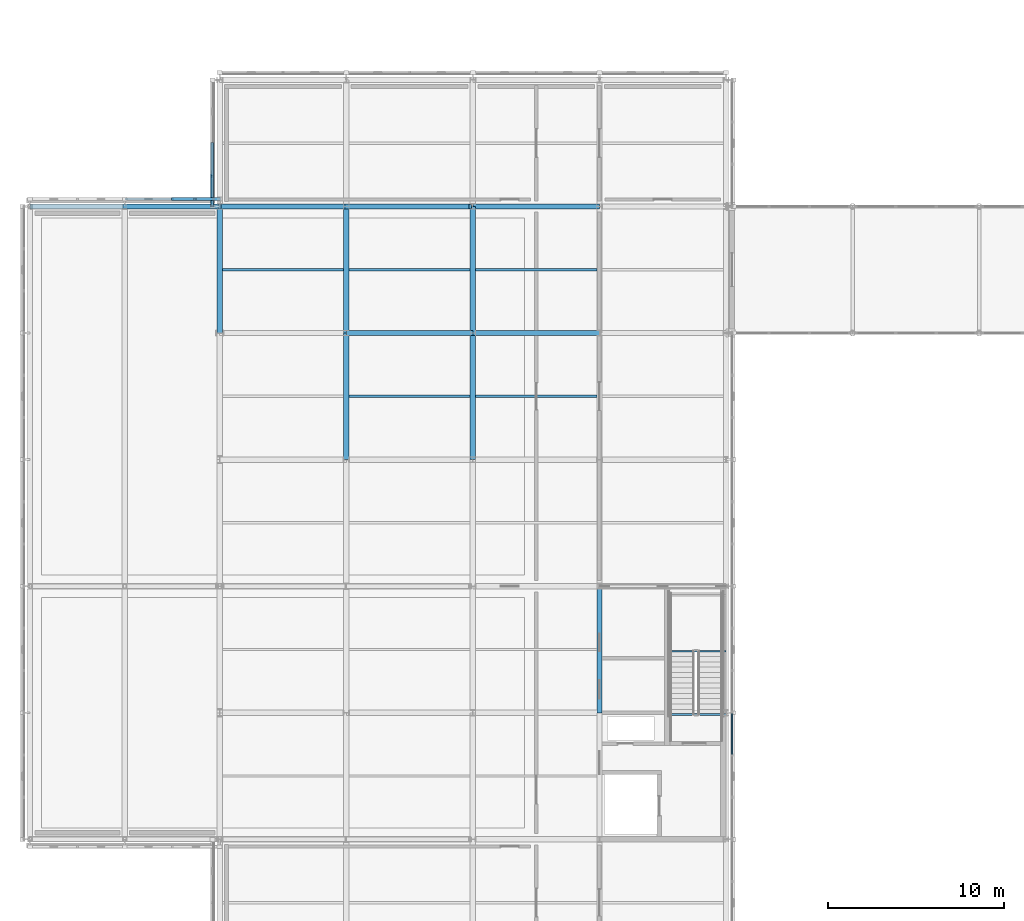
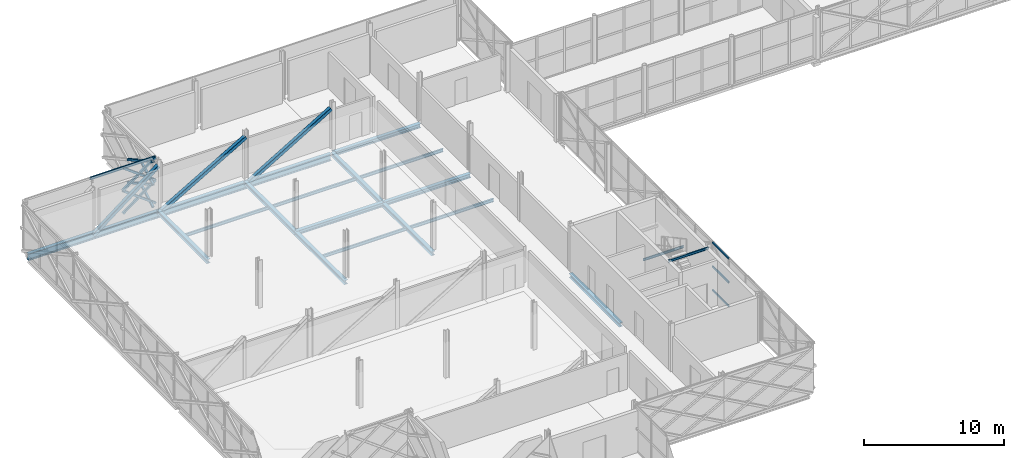
# One storey, part 43 of 126: 17 beams, 17 members, 1 element without a shape of its own.
"""IFC4 building model written with IfcOpenShell, lengths in metres."""

import ifcopenshell
import ifcopenshell.guid

model = None  # the IFC model being written
_history = None  # IfcOwnerHistory: only IFC2X3 demands one
_inside = {}  # id of a spatial element -> (the spatial element, [elements in it])
_under = {}  # id of a project, library or spatial element -> (it, [spatial elements below it])
_declared = {}  # id of a project -> (the project, [libraries it declares])
_typed = {}  # id of a type object -> (the type object, [elements of that type])
_made_of = {}  # id of a material, layer set ... -> (it, [elements and type objects made of it])


def new_model(schema):
    """Start an empty IFC model of exactly this schema.

    Asked for "IFC4X3", IfcOpenShell would pick the latest addendum, in which some entities
    have other attributes; the version numbers below select the first issue.
    IFC2X3 requires an IfcOwnerHistory on every rooted entity: one is made here for all.
    """
    global model, _history
    if schema == "IFC4X3":
        model = ifcopenshell.file(schema_version=(4, 3, 0, 0))
    else:
        model = ifcopenshell.file(schema=schema)
    _inside.clear()
    _under.clear()
    _declared.clear()
    _typed.clear()
    _made_of.clear()
    _history = None
    if model.schema == "IFC2X3":
        org = make("IfcOrganization", Name="unknown")
        user = make(
            "IfcPersonAndOrganization",
            ThePerson=make("IfcPerson", FamilyName="unknown"),
            TheOrganization=org,
        )
        app = make(
            "IfcApplication",
            ApplicationDeveloper=org,
            Version="unknown",
            ApplicationFullName="unknown",
            ApplicationIdentifier="unknown",
        )
        _history = make(
            "IfcOwnerHistory",
            OwningUser=user,
            OwningApplication=app,
            ChangeAction="ADDED",
            CreationDate=0,
        )
    return model


def make(cls, **values):
    """One entity of the class cls with the attributes given. An attribute that is None is left unset."""
    return model.create_entity(
        cls, **{name: value for name, value in values.items() if value is not None}
    )


def rooted(cls, **values):
    """An entity with a GlobalId (a new one), such as an element, a storey or a relation."""
    return make(cls, GlobalId=ifcopenshell.guid.new(), OwnerHistory=_history, **values)


def si_unit(unit_type, name, prefix=None):
    """IfcSIUnit, for example si_unit("LENGTHUNIT", "METRE", prefix="MILLI")."""
    return make("IfcSIUnit", UnitType=unit_type, Prefix=prefix, Name=name)


def assignment(units):
    """IfcUnitAssignment: the units of a project."""
    return None if units is None else make("IfcUnitAssignment", Units=units)


def point(xyz):
    """IfcCartesianPoint."""
    return None if xyz is None else make("IfcCartesianPoint", Coordinates=xyz)


def direction(xyz):
    """IfcDirection."""
    return None if xyz is None else make("IfcDirection", DirectionRatios=xyz)


def frame(location, z_axis=None, x_axis=None):
    """IfcAxis2Placement3D, a coordinate frame: its origin and axes. An axis left out is left unset."""
    return make(
        "IfcAxis2Placement3D",
        Location=point(location),
        Axis=direction(z_axis),
        RefDirection=direction(x_axis),
    )


def frame_2d(location, x_axis=None):
    """IfcAxis2Placement2D, a coordinate frame in the plane: its origin and x axis."""
    return make(
        "IfcAxis2Placement2D", Location=point(location), RefDirection=direction(x_axis)
    )


def origin():
    """The frame at (0, 0, 0) with its axes left unset."""
    return frame((0.0, 0.0, 0.0))


def origin_2d():
    """The frame at (0, 0) in the plane with its x axis left unset."""
    return frame_2d((0.0, 0.0))


def place(relative_to, where):
    """IfcLocalPlacement: puts the frame where relative to a parent placement (None: the world)."""
    return make(
        "IfcLocalPlacement", PlacementRelTo=relative_to, RelativePlacement=where
    )


def context(
    kind, dimensions, precision=None, world=None, true_north=None, identifier=None
):
    """IfcGeometricRepresentationContext, for example the 3D "Model" context."""
    return make(
        "IfcGeometricRepresentationContext",
        ContextIdentifier=identifier,
        ContextType=kind,
        CoordinateSpaceDimension=dimensions,
        Precision=precision,
        WorldCoordinateSystem=world,
        TrueNorth=true_north,
    )


def subcontext(parent, identifier, kind, view, scale=None):
    """IfcGeometricRepresentationSubContext, for example "Body" below "Model"."""
    return make(
        "IfcGeometricRepresentationSubContext",
        ContextIdentifier=identifier,
        ContextType=kind,
        ParentContext=parent,
        TargetScale=scale,
        TargetView=view,
    )


def project(units=None, contexts=None):
    """IfcProject with its units and contexts."""
    return rooted(
        "IfcProject",
        Name="project",
        RepresentationContexts=contexts,
        UnitsInContext=assignment(units),
    )


def spatial(cls, under=None, at=None, **own):
    """A site, building, storey or space (cls), placed at a placement, below another one or the project."""
    s = rooted(cls, ObjectPlacement=at, **own)
    if under is not None:
        _under.setdefault(under.id(), (under, []))[1].append(s)
    return s


def profile(cls, at=None, kind="AREA", **sizes):
    """A parametric profile (cls). Its sizes go by their IFC names, for example OverallWidth=200.0."""
    return make(cls, ProfileType=kind, Position=at, **sizes)


def rectangle(**sizes):
    """IfcRectangleProfileDef."""
    return profile("IfcRectangleProfileDef", **sizes)


def hollow_rectangle(**sizes):
    """IfcRectangleHollowProfileDef."""
    return profile("IfcRectangleHollowProfileDef", **sizes)


def i_section(**sizes):
    """IfcIShapeProfileDef."""
    return profile("IfcIShapeProfileDef", **sizes)


def extrude(swept, where, along, depth):
    """IfcExtrudedAreaSolid: the profile swept, set in the frame where, extruded along a direction by depth."""
    return make(
        "IfcExtrudedAreaSolid",
        SweptArea=swept,
        Position=where,
        ExtrudedDirection=direction(along),
        Depth=depth,
    )


def shape(context_of_items, identifier, shape_type, items):
    """IfcShapeRepresentation: the items that make up one representation, for example the "Body"."""
    return make(
        "IfcShapeRepresentation",
        ContextOfItems=context_of_items,
        RepresentationIdentifier=identifier,
        RepresentationType=shape_type,
        Items=items,
    )


def material(Name=None, Category=None):
    """IfcMaterial."""
    return make("IfcMaterial", Name=Name, Category=Category)


def material_profile(
    of_material, cross_section, Name=None, Category=None, Priority=None
):
    """IfcMaterialProfile: a cross section and its material."""
    return make(
        "IfcMaterialProfile",
        Name=Name,
        Material=of_material,
        Profile=cross_section,
        Priority=Priority,
        Category=Category,
    )


def profile_set(profiles, Name=None, composite=None):
    """IfcMaterialProfileSet."""
    return make(
        "IfcMaterialProfileSet",
        Name=Name,
        MaterialProfiles=profiles,
        CompositeProfile=composite,
    )


def made_of(thing, what):
    """Note that an element or type object is made of a material, layer set ...; save() writes the relation."""
    if what is not None:
        _made_of.setdefault(what.id(), (what, []))[1].append(thing)
    return thing


def type_object(cls, material=None, **own):
    """A type object (cls), such as IfcWallType, which elements share."""
    return made_of(rooted(cls, **own), material)


def element(
    cls,
    number,
    at=None,
    inside=None,
    cuts=None,
    type_object=None,
    material=None,
    context=None,
    identifier="Body",
    shape_type=None,
    held_by="IfcProductDefinitionShape",
    body=None,
    shapes=None,
    **own,
):
    """One element of the class cls, such as IfcWall. Its Tag is "e" and its number.

    at: its placement. inside: the storey or other place that contains it. cuts: it is an
    opening in that element (IfcRelVoidsElement). A single representation is given by context,
    identifier, shape_type and body (its items); several are given by shapes. held_by: the class
    of the entity that holds the representations. save() writes the other relations.
    """
    e = rooted(cls, Tag="e%d" % number, ObjectPlacement=at, **own)
    if body is not None:
        shapes = [shape(context, identifier, shape_type, body)]
    if shapes is not None:
        e.Representation = make(held_by, Representations=shapes)
    if inside is not None:
        _inside.setdefault(inside.id(), (inside, []))[1].append(e)
    if cuts is not None:
        rooted(
            "IfcRelVoidsElement", RelatingBuildingElement=cuts, RelatedOpeningElement=e
        )
    if type_object is not None:
        _typed.setdefault(type_object.id(), (type_object, []))[1].append(e)
    return made_of(e, material)


def aggregate(whole, parts):
    """IfcRelAggregates: a whole, such as a stair, and the parts it consists of."""
    return rooted("IfcRelAggregates", RelatingObject=whole, RelatedObjects=parts)


def save(model, path):
    """Write the relations noted so far, then the file.

    IfcRelAggregates (storeys below a building ...), IfcRelContainedInSpatialStructure (elements
    in a storey), IfcRelDefinesByType, IfcRelAssociatesMaterial and IfcRelDeclares: one each for
    every whole, place, type object, material and project.
    """
    for whole, parts in _under.values():
        aggregate(whole, parts)
    for where, things in _inside.values():
        rooted(
            "IfcRelContainedInSpatialStructure",
            RelatedElements=things,
            RelatingStructure=where,
        )
    for kind, things in _typed.values():
        rooted("IfcRelDefinesByType", RelatedObjects=things, RelatingType=kind)
    for what, things in _made_of.values():
        rooted("IfcRelAssociatesMaterial", RelatedObjects=things, RelatingMaterial=what)
    for by, libraries in _declared.values():
        rooted("IfcRelDeclares", RelatingContext=by, RelatedDefinitions=libraries)
    model.write(path)


model = new_model("IFC4")

# Units and contexts
model_context = context("Model", 3, precision=1e-05, world=origin(), true_north=direction((0.0, 1.0)))
body_context = subcontext(model_context, "Body", "Model", "MODEL_VIEW")
ifc_project = project(units=[si_unit("LENGTHUNIT", "METRE"), si_unit("AREAUNIT", "SQUARE_METRE"), si_unit("VOLUMEUNIT", "CUBIC_METRE"), si_unit("PLANEANGLEUNIT", "RADIAN"), si_unit("MASSUNIT", "GRAM", prefix="KILO")], contexts=[model_context])

# Site, building, storey
site_placement = place(None, origin())
site = spatial("IfcSite", under=ifc_project, at=site_placement, CompositionType="ELEMENT")
building_placement = place(site_placement, origin())
building = spatial("IfcBuilding", under=site, at=building_placement, Name="Zlatovets Crest Museum", CompositionType="ELEMENT")
storey_placement = place(building_placement, frame((0.0, 0.0, 8.699951171875)))
storey = spatial("IfcBuildingStorey", under=building, at=storey_placement, Name="L02", CompositionType="ELEMENT", Elevation=8.699951171875)

# Beams
ifc_material_1 = material(Name="Structural steel S355J2", Category="steel")
ifc_material_profile_1 = material_profile(ifc_material_1, i_section(OverallWidth=0.300048828125, OverallDepth=0.35009765625, WebThickness=0.010009765625, FlangeThickness=0.017578125, FilletRadius=0.027099609375, at=origin_2d()), Name="HEA 360")
ifc_profile_set_1 = profile_set([ifc_material_profile_1], Name="Structural steel S355J2")
beam_type_1 = type_object("IfcBeamType", Name="Beam_B-03", PredefinedType="BEAM", material=ifc_profile_set_1)
beam_1_placement = place(storey_placement, frame((14.39990234375, 86.39990234375, -0.39501953125), z_axis=(1.0, 0.0, 0.0), x_axis=(0.0, 1.0, 0.0)))
element("IfcBeam", 1, at=beam_1_placement, inside=storey, type_object=beam_type_1, Name="V4 L02 Primary Girder B-03", PredefinedType="BEAM", context=body_context, shape_type="SweptSolid", body=[
    extrude(i_section(OverallWidth=0.300048828125, OverallDepth=0.35009765625, WebThickness=0.010009765625, FlangeThickness=0.017578125, FilletRadius=0.027099609375, at=origin_2d()), origin(), (0.0, 0.0, 1.0), 7.2001953125),
])
for number, where, z_axis, x_axis, name in (
    (2, (21.60009765625, 86.39990234375, -0.39501953125), (1.0, 0.0, 0.0), (0.0, 1.0, 0.0), "V4 L02 Primary Girder B-03"),
    (3, (21.60009765625, 93.60009765625, -0.39501953125), (1.0, 0.0, 0.0), (0.0, 1.0, 0.0), "V4 L02 Primary Girder B-03"),
):
    element("IfcBeam", number, at=place(storey_placement, frame(where, z_axis=z_axis, x_axis=x_axis)), inside=storey, type_object=beam_type_1, Name=name, PredefinedType="BEAM", context=body_context, shape_type="SweptSolid", body=[
        extrude(i_section(OverallWidth=0.300048828125, OverallDepth=0.35009765625, WebThickness=0.010009765625, FlangeThickness=0.017578125, FilletRadius=0.027099609375, at=origin_2d()), origin(), (0.0, 0.0, 1.0), 7.199951171875),
    ])
beam_2_placement = place(storey_placement, frame((7.199951171875, 86.39990234375, -0.39501953125), z_axis=(0.0, 1.0, 0.0), x_axis=(-1.0, 0.0, 0.0)))
element("IfcBeam", 4, at=beam_2_placement, inside=storey, type_object=beam_type_1, Name="V4 L02 Grid Beam B-03", PredefinedType="BEAM", context=body_context, shape_type="SweptSolid", body=[
    extrude(i_section(OverallWidth=0.300048828125, OverallDepth=0.35009765625, WebThickness=0.010009765625, FlangeThickness=0.017578125, FilletRadius=0.027099609375, at=origin_2d()), origin(), (0.0, 0.0, 1.0), 7.2001953125),
])
beam_3_placement = place(storey_placement, frame((14.39990234375, 79.199951171875, -0.39501953125), z_axis=(0.0, 1.0, 0.0), x_axis=(-1.0, 0.0, 0.0)))
element("IfcBeam", 5, at=beam_3_placement, inside=storey, type_object=beam_type_1, Name="V4 L02 Grid Beam B-03", PredefinedType="BEAM", context=body_context, shape_type="SweptSolid", body=[
    extrude(i_section(OverallWidth=0.300048828125, OverallDepth=0.35009765625, WebThickness=0.010009765625, FlangeThickness=0.017578125, FilletRadius=0.027099609375, at=origin_2d()), origin(), (0.0, 0.0, 1.0), 7.199951171875),
])
beam_4_placement = place(storey_placement, frame((14.39990234375, 86.39990234375, -0.39501953125), z_axis=(0.0, 1.0, 0.0), x_axis=(-1.0, 0.0, 0.0)))
element("IfcBeam", 6, at=beam_4_placement, inside=storey, type_object=beam_type_1, Name="V4 L02 Grid Beam B-03", PredefinedType="BEAM", context=body_context, shape_type="SweptSolid", body=[
    extrude(i_section(OverallWidth=0.300048828125, OverallDepth=0.35009765625, WebThickness=0.010009765625, FlangeThickness=0.017578125, FilletRadius=0.027099609375, at=origin_2d()), origin(), (0.0, 0.0, 1.0), 7.2001953125),
])
beam_5_placement = place(storey_placement, frame((21.60009765625, 79.199951171875, -0.39501953125), z_axis=(0.0, 1.0, 0.0), x_axis=(-1.0, 0.0, 0.0)))
element("IfcBeam", 7, at=beam_5_placement, inside=storey, type_object=beam_type_1, Name="V4 L02 Grid Beam B-03", PredefinedType="BEAM", context=body_context, shape_type="SweptSolid", body=[
    extrude(i_section(OverallWidth=0.300048828125, OverallDepth=0.35009765625, WebThickness=0.010009765625, FlangeThickness=0.017578125, FilletRadius=0.027099609375, at=origin_2d()), origin(), (0.0, 0.0, 1.0), 7.199951171875),
])
beam_6_placement = place(storey_placement, frame((21.60009765625, 86.39990234375, -0.39501953125), z_axis=(0.0, 1.0, 0.0), x_axis=(-1.0, 0.0, 0.0)))
element("IfcBeam", 8, at=beam_6_placement, inside=storey, type_object=beam_type_1, Name="V4 L02 Grid Beam B-03", PredefinedType="BEAM", context=body_context, shape_type="SweptSolid", body=[
    extrude(i_section(OverallWidth=0.300048828125, OverallDepth=0.35009765625, WebThickness=0.010009765625, FlangeThickness=0.017578125, FilletRadius=0.027099609375, at=origin_2d()), origin(), (0.0, 0.0, 1.0), 7.2001953125),
])
beam_7_placement = place(storey_placement, frame((28.800048828125, 64.800048828125, -0.39501953125), z_axis=(0.0, 1.0, 0.0), x_axis=(-1.0, 0.0, 0.0)))
element("IfcBeam", 9, at=beam_7_placement, inside=storey, type_object=beam_type_1, Name="V4 L02 Grid Beam B-03", PredefinedType="BEAM", context=body_context, shape_type="SweptSolid", body=[
    extrude(i_section(OverallWidth=0.300048828125, OverallDepth=0.35009765625, WebThickness=0.010009765625, FlangeThickness=0.017578125, FilletRadius=0.027099609375, at=origin_2d()), origin(), (0.0, 0.0, 1.0), 7.199951171875),
])
ifc_material_profile_2 = material_profile(ifc_material_1, i_section(OverallWidth=0.300048828125, OverallDepth=0.590087890625, WebThickness=0.012939453125, FlangeThickness=0.02490234375, FilletRadius=0.027099609375, at=origin_2d()), Name="HEA 600")
ifc_profile_set_2 = profile_set([ifc_material_profile_2], Name="Structural steel S355J2")
beam_type_2 = type_object("IfcBeamType", Name="Beam_B-07", PredefinedType="BEAM", material=ifc_profile_set_2)
beam_8_placement = place(storey_placement, frame((-3.60009765625, 93.60009765625, -0.570068359375), z_axis=(1.0, 0.0, 0.0), x_axis=(0.0, 1.0, 0.0)))
element("IfcBeam", 10, at=beam_8_placement, inside=storey, type_object=beam_type_2, Name="Cantilever Transfer Truss TT-3 L02 Bottom Chord", PredefinedType="BEAM", context=body_context, shape_type="SweptSolid", body=[
    extrude(i_section(OverallWidth=0.300048828125, OverallDepth=0.590087890625, WebThickness=0.012939453125, FlangeThickness=0.02490234375, FilletRadius=0.027099609375, at=origin_2d()), origin(), (0.0, 0.0, 1.0), 25.0400390625),
])
ifc_material_profile_3 = material_profile(ifc_material_1, i_section(OverallWidth=0.135009765625, OverallDepth=0.27001953125, WebThickness=0.006591796875, FlangeThickness=0.01025390625, FilletRadius=0.014892578125, at=origin_2d()), Name="IPE 270")
ifc_profile_set_3 = profile_set([ifc_material_profile_3], Name="Structural steel S355J2")
beam_type_3 = type_object("IfcBeamType", Name="Beam_J-03", PredefinedType="JOIST", material=ifc_profile_set_3)
for number, where, z_axis, x_axis, name in (
    (11, (7.35009765625, 90.0, -0.35498046875), (1.0, 0.0, 0.0), (0.0, 1.0, 0.0), "V4 L02 Composite Joist J-03"),
    (12, (14.550048828125, 82.800048828125, -0.35498046875), (1.0, 0.0, 0.0), (0.0, 1.0, 0.0), "V4 L02 Composite Joist J-03"),
    (13, (14.550048828125, 90.0, -0.35498046875), (1.0, 0.0, 0.0), (0.0, 1.0, 0.0), "V4 L02 Composite Joist J-03"),
    (14, (21.75, 82.800048828125, -0.35498046875), (1.0, 0.0, 0.0), (0.0, 1.0, 0.0), "V4 L02 Composite Joist J-03"),
    (15, (21.75, 90.0, -0.35498046875), (1.0, 0.0, 0.0), (0.0, 1.0, 0.0), "V4 L02 Composite Joist J-03"),
):
    element("IfcBeam", number, at=place(storey_placement, frame(where, z_axis=z_axis, x_axis=x_axis)), inside=storey, type_object=beam_type_3, Name=name, PredefinedType="JOIST", context=body_context, shape_type="SweptSolid", body=[
        extrude(i_section(OverallWidth=0.135009765625, OverallDepth=0.27001953125, WebThickness=0.006591796875, FlangeThickness=0.01025390625, FilletRadius=0.014892578125, at=origin_2d()), origin(), (0.0, 0.0, 1.0), 6.89990234375),
    ])
ifc_material_profile_4 = material_profile(ifc_material_1, i_section(OverallWidth=0.10009765625, OverallDepth=0.199951171875, WebThickness=0.005615234375, FlangeThickness=0.008544921875, FilletRadius=0.011962890625, at=origin_2d()), Name="IPE 200")
ifc_profile_set_4 = profile_set([ifc_material_profile_4], Name="Structural steel S355J2")
beam_type_4 = type_object("IfcBeamType", Name="Beam_PR-02", PredefinedType="LINTEL", material=ifc_profile_set_4)
for number, where, z_axis, x_axis, name in (
    (16, (32.64990234375, 64.699951171875, 3.860107421875), (1.0, 0.0, 0.0), (0.0, 1.0, 0.0), "Core C4 L02 Stair Well Header Beam"),
    (17, (32.64990234375, 68.300048828125, 1.800048828125), (1.0, 0.0, 0.0), (0.0, 1.0, 0.0), "Core C4 L02 Half-Landing Support Beam"),
):
    element("IfcBeam", number, at=place(storey_placement, frame(where, z_axis=z_axis, x_axis=x_axis)), inside=storey, type_object=beam_type_4, Name=name, PredefinedType="LINTEL", context=body_context, shape_type="SweptSolid", body=[
        extrude(i_section(OverallWidth=0.10009765625, OverallDepth=0.199951171875, WebThickness=0.005615234375, FlangeThickness=0.008544921875, FilletRadius=0.011962890625, at=origin_2d()), origin(), (0.0, 0.0, 1.0), 3.35009765625),
    ])

# Curtain wall, members
ifc_material_2 = material(Name="Bronze-anodised aluminium and low-E triple glass", Category="aluminium")
curtain_wall_type = type_object("IfcCurtainWallType", Name="CW_CW-V4-L02-M1", PredefinedType="NOTDEFINED", material=ifc_material_2)
curtain_wall_placement = place(storey_placement, origin())
curtain_wall = element("IfcCurtainWall", 18, at=curtain_wall_placement, inside=storey, type_object=curtain_wall_type, Name="V4 L02 Expressed Core Glazed Facade", PredefinedType="NOTDEFINED")
ifc_material_3 = material(Name="Bronze-anodised aluminium EN AW-6060", Category="aluminium")
ifc_material_profile_5 = material_profile(ifc_material_3, rectangle(XDim=0.080078125, YDim=0.159912109375, at=origin_2d()), Name="ALU 80x160")
ifc_profile_set_5 = profile_set([ifc_material_profile_5], Name="Bronze-anodised aluminium EN AW-6060")
member_type_1 = type_object("IfcMemberType", Name="CWTrans_T1", PredefinedType="USERDEFINED", material=ifc_profile_set_5)
member_1_placement = place(storey_placement, frame((36.340087890625, 62.429931640625, 0.030029296875), z_axis=(0.0, 1.0, 0.0), x_axis=(-1.0, 0.0, 0.0)))
member_1 = element("IfcMember", 19, at=member_1_placement, type_object=member_type_1, Name="CW-V4-L02-M1 transom 3.1", ObjectType="TRANSOM", PredefinedType="USERDEFINED", context=body_context, shape_type="SweptSolid", body=[
    extrude(rectangle(XDim=0.080078125, YDim=0.159912109375, at=origin_2d()), origin(), (0.0, 0.0, 1.0), 2.31005859375),
])
member_2_placement = place(storey_placement, frame((36.340087890625, 62.429931640625, 2.10009765625), z_axis=(0.0, 1.0, 0.0), x_axis=(-1.0, 0.0, 0.0)))
member_2 = element("IfcMember", 20, at=member_2_placement, type_object=member_type_1, Name="CW-V4-L02-M1 transom 3.2", ObjectType="TRANSOM", PredefinedType="USERDEFINED", context=body_context, shape_type="SweptSolid", body=[
    extrude(rectangle(XDim=0.080078125, YDim=0.159912109375, at=origin_2d()), origin(), (0.0, 0.0, 1.0), 2.31005859375),
])
member_3_placement = place(storey_placement, frame((36.340087890625, 62.429931640625, 4.170166015625), z_axis=(0.0, 1.0, 0.0), x_axis=(-1.0, 0.0, 0.0)))
member_3 = element("IfcMember", 21, at=member_3_placement, type_object=member_type_1, Name="CW-V4-L02-M1 transom 3.3", ObjectType="TRANSOM", PredefinedType="USERDEFINED", context=body_context, shape_type="SweptSolid", body=[
    extrude(rectangle(XDim=0.080078125, YDim=0.159912109375, at=origin_2d()), origin(), (0.0, 0.0, 1.0), 2.31005859375),
])
aggregate(curtain_wall, [member_1, member_2, member_3])

# Members
ifc_material_4 = material(Name="Weathering bronze-steel S355J2W", Category="steel")
ifc_material_profile_6 = material_profile(ifc_material_4, hollow_rectangle(XDim=0.179931640625, YDim=0.179931640625, WallThickness=0.010009765625, InnerFilletRadius=0.010009765625, OuterFilletRadius=0.02001953125, at=origin_2d()), Name="SHS 180x180x10.0")
ifc_profile_set_6 = profile_set([ifc_material_profile_6], Name="Weathering bronze-steel S355J2W")
member_type_2 = type_object("IfcMemberType", Name="Lattice_XL-01", PredefinedType="BRACE", material=ifc_profile_set_6)
member_4_placement = place(storey_placement, frame((6.780029296875, 97.199951171875, 0.10009765625), z_axis=(0.0, -0.874148886685, 0.485658031857), x_axis=(1.0, 0.0, 0.0)))
element("IfcMember", 22, at=member_4_placement, inside=storey, type_object=member_type_2, Name="Continuous Bronze Lattice Diagonal", PredefinedType="BRACE", context=body_context, shape_type="SweptSolid", body=[
    extrude(hollow_rectangle(XDim=0.179931640625, YDim=0.179931640625, WallThickness=0.010009765625, InnerFilletRadius=0.010009765625, OuterFilletRadius=0.02001953125, at=origin_2d()), origin(), (0.0, 0.0, 1.0), 4.1181640625),
])
member_5_placement = place(storey_placement, frame((6.780029296875, 95.31689453125, 1.053955078125), z_axis=(0.0, -0.874139684676, -0.48567459443), x_axis=(1.0, 0.0, 0.0)))
element("IfcMember", 23, at=member_5_placement, inside=storey, type_object=member_type_2, Name="Split Crossing Bronze Lattice Diagonal Lower", PredefinedType="BRACE", context=body_context, shape_type="SweptSolid", body=[
    extrude(hollow_rectangle(XDim=0.179931640625, YDim=0.179931640625, WallThickness=0.010009765625, InnerFilletRadius=0.010009765625, OuterFilletRadius=0.02001953125, at=origin_2d()), origin(), (0.0, 0.0, 1.0), 1.9638671875),
])
member_6_placement = place(storey_placement, frame((6.780029296875, 97.199951171875, 2.10009765625), z_axis=(0.0, -0.874148886685, 0.485658031857), x_axis=(1.0, 0.0, 0.0)))
element("IfcMember", 24, at=member_6_placement, inside=storey, type_object=member_type_2, Name="Continuous Bronze Lattice Diagonal", PredefinedType="BRACE", context=body_context, shape_type="SweptSolid", body=[
    extrude(hollow_rectangle(XDim=0.179931640625, YDim=0.179931640625, WallThickness=0.010009765625, InnerFilletRadius=0.010009765625, OuterFilletRadius=0.02001953125, at=origin_2d()), origin(), (0.0, 0.0, 1.0), 4.1181640625),
])
member_7_placement = place(storey_placement, frame((6.780029296875, 95.31689453125, 3.053955078125), z_axis=(0.0, -0.874139684676, -0.48567459443), x_axis=(1.0, 0.0, 0.0)))
element("IfcMember", 25, at=member_7_placement, inside=storey, type_object=member_type_2, Name="Split Crossing Bronze Lattice Diagonal Lower", PredefinedType="BRACE", context=body_context, shape_type="SweptSolid", body=[
    extrude(hollow_rectangle(XDim=0.179931640625, YDim=0.179931640625, WallThickness=0.010009765625, InnerFilletRadius=0.010009765625, OuterFilletRadius=0.02001953125, at=origin_2d()), origin(), (0.0, 0.0, 1.0), 1.9638671875),
])
member_8_placement = place(storey_placement, frame((7.199951171875, 94.02001953125, 0.10009765625), z_axis=(-0.803552044655, 0.0, 0.595234501294), x_axis=(0.0, -1.0, 0.0)))
element("IfcMember", 26, at=member_8_placement, inside=storey, type_object=member_type_2, Name="Continuous Bronze Lattice Diagonal", PredefinedType="BRACE", context=body_context, shape_type="SweptSolid", body=[
    extrude(hollow_rectangle(XDim=0.179931640625, YDim=0.179931640625, WallThickness=0.010009765625, InnerFilletRadius=0.010009765625, OuterFilletRadius=0.02001953125, at=origin_2d()), origin(), (0.0, 0.0, 1.0), 3.360107421875),
])
member_9_placement = place(storey_placement, frame((7.199951171875, 94.02001953125, 2.10009765625), z_axis=(-0.803516265271, 0.0, -0.595282799554), x_axis=(0.0, -1.0, 0.0)))
element("IfcMember", 27, at=member_9_placement, inside=storey, type_object=member_type_2, Name="Split Crossing Bronze Lattice Diagonal Upper", PredefinedType="BRACE", context=body_context, shape_type="SweptSolid", body=[
    extrude(hollow_rectangle(XDim=0.179931640625, YDim=0.179931640625, WallThickness=0.010009765625, InnerFilletRadius=0.010009765625, OuterFilletRadius=0.02001953125, at=origin_2d()), origin(), (0.0, 0.0, 1.0), 1.585205078125),
])
member_10_placement = place(storey_placement, frame((5.773681640625, 94.02001953125, 1.04345703125), z_axis=(-0.80358993607, 0.0, -0.595183345404), x_axis=(0.0, -1.0, 0.0)))
element("IfcMember", 28, at=member_10_placement, inside=storey, type_object=member_type_2, Name="Split Crossing Bronze Lattice Diagonal Lower", PredefinedType="BRACE", context=body_context, shape_type="SweptSolid", body=[
    extrude(hollow_rectangle(XDim=0.179931640625, YDim=0.179931640625, WallThickness=0.010009765625, InnerFilletRadius=0.010009765625, OuterFilletRadius=0.02001953125, at=origin_2d()), origin(), (0.0, 0.0, 1.0), 1.5849609375),
])
member_11_placement = place(storey_placement, frame((7.199951171875, 94.02001953125, 2.10009765625), z_axis=(-0.803552044655, 0.0, 0.595234501294), x_axis=(0.0, -1.0, 0.0)))
element("IfcMember", 29, at=member_11_placement, inside=storey, type_object=member_type_2, Name="Continuous Bronze Lattice Diagonal", PredefinedType="BRACE", context=body_context, shape_type="SweptSolid", body=[
    extrude(hollow_rectangle(XDim=0.179931640625, YDim=0.179931640625, WallThickness=0.010009765625, InnerFilletRadius=0.010009765625, OuterFilletRadius=0.02001953125, at=origin_2d()), origin(), (0.0, 0.0, 1.0), 3.360107421875),
])
member_12_placement = place(storey_placement, frame((7.199951171875, 94.02001953125, 4.10009765625), z_axis=(-0.803516265271, 0.0, -0.595282799554), x_axis=(0.0, -1.0, 0.0)))
element("IfcMember", 30, at=member_12_placement, inside=storey, type_object=member_type_2, Name="Split Crossing Bronze Lattice Diagonal Upper", PredefinedType="BRACE", context=body_context, shape_type="SweptSolid", body=[
    extrude(hollow_rectangle(XDim=0.179931640625, YDim=0.179931640625, WallThickness=0.010009765625, InnerFilletRadius=0.010009765625, OuterFilletRadius=0.02001953125, at=origin_2d()), origin(), (0.0, 0.0, 1.0), 1.585205078125),
])
member_13_placement = place(storey_placement, frame((5.773681640625, 94.02001953125, 3.04345703125), z_axis=(-0.80358993607, 0.0, -0.595183345404), x_axis=(0.0, -1.0, 0.0)))
element("IfcMember", 31, at=member_13_placement, inside=storey, type_object=member_type_2, Name="Split Crossing Bronze Lattice Diagonal Lower", PredefinedType="BRACE", context=body_context, shape_type="SweptSolid", body=[
    extrude(hollow_rectangle(XDim=0.179931640625, YDim=0.179931640625, WallThickness=0.010009765625, InnerFilletRadius=0.010009765625, OuterFilletRadius=0.02001953125, at=origin_2d()), origin(), (0.0, 0.0, 1.0), 1.5849609375),
])
ifc_material_profile_7 = material_profile(ifc_material_4, hollow_rectangle(XDim=0.1201171875, YDim=0.239990234375, WallThickness=0.010009765625, InnerFilletRadius=0.010009765625, OuterFilletRadius=0.02001953125, at=origin_2d()), Name="RHS 120x240x10.0")
ifc_profile_set_7 = profile_set([ifc_material_profile_7], Name="Weathering bronze-steel S355J2W")
member_type_3 = type_object("IfcMemberType", Name="Lattice_XL-04", PredefinedType="CHORD", material=ifc_profile_set_7)
member_14_placement = place(storey_placement, frame((7.199951171875, 94.02001953125, 4.10009765625), z_axis=(-1.0, 0.0, 0.0), x_axis=(0.0, -1.0, 0.0)))
element("IfcMember", 32, at=member_14_placement, inside=storey, type_object=member_type_3, Name="Art Nouveau Woven Cage Collector Ring Chord", PredefinedType="CHORD", context=body_context, shape_type="SweptSolid", body=[
    extrude(hollow_rectangle(XDim=0.1201171875, YDim=0.239990234375, WallThickness=0.010009765625, InnerFilletRadius=0.010009765625, OuterFilletRadius=0.02001953125, at=origin_2d()), origin(), (0.0, 0.0, 1.0), 5.39990234375),
])
ifc_material_profile_8 = material_profile(ifc_material_1, hollow_rectangle(XDim=0.300048828125, YDim=0.300048828125, WallThickness=0.01611328125, InnerFilletRadius=0.01611328125, OuterFilletRadius=0.031982421875, at=origin_2d()), Name="SHS 300x300x16.0")
ifc_profile_set_8 = profile_set([ifc_material_profile_8], Name="Structural steel S355J2")
member_type_4 = type_object("IfcMemberType", Name="Member_TM-08", PredefinedType="BRACE", material=ifc_profile_set_8)
member_15_placement = place(storey_placement, frame((1.800048828125, 93.60009765625, -0.570068359375), z_axis=(0.790751619477, 0.0, 0.61213713847), x_axis=(0.0, 1.0, 0.0)))
element("IfcMember", 33, at=member_15_placement, inside=storey, type_object=member_type_4, Name="Transfer Truss TT-3 Lower Web Diagonal", PredefinedType="BRACE", context=body_context, shape_type="SweptSolid", body=[
    extrude(hollow_rectangle(XDim=0.300048828125, YDim=0.300048828125, WallThickness=0.01611328125, InnerFilletRadius=0.01611328125, OuterFilletRadius=0.031982421875, at=origin_2d()), origin(), (0.0, 0.0, 1.0), 6.828857421875),
])
member_16_placement = place(storey_placement, frame((7.199951171875, 93.60009765625, -0.570068359375), z_axis=(0.864811948973, 0.0, 0.502095900116), x_axis=(0.0, 1.0, 0.0)))
element("IfcMember", 34, at=member_16_placement, inside=storey, type_object=member_type_4, Name="Transfer Truss TT-3 Lower Web Diagonal", PredefinedType="BRACE", context=body_context, shape_type="SweptSolid", body=[
    extrude(hollow_rectangle(XDim=0.300048828125, YDim=0.300048828125, WallThickness=0.01611328125, InnerFilletRadius=0.01611328125, OuterFilletRadius=0.031982421875, at=origin_2d()), origin(), (0.0, 0.0, 1.0), 8.325439453125),
])
member_17_placement = place(storey_placement, frame((14.39990234375, 93.60009765625, -0.570068359375), z_axis=(0.859846562478, 0.0, 0.51055253304), x_axis=(0.0, 1.0, 0.0)))
element("IfcMember", 35, at=member_17_placement, inside=storey, type_object=member_type_4, Name="Transfer Truss TT-3 Lower Web Diagonal", PredefinedType="BRACE", context=body_context, shape_type="SweptSolid", body=[
    extrude(hollow_rectangle(XDim=0.300048828125, YDim=0.300048828125, WallThickness=0.01611328125, InnerFilletRadius=0.01611328125, OuterFilletRadius=0.031982421875, at=origin_2d()), origin(), (0.0, 0.0, 1.0), 8.1875),
])

save(model, "model.ifc")
